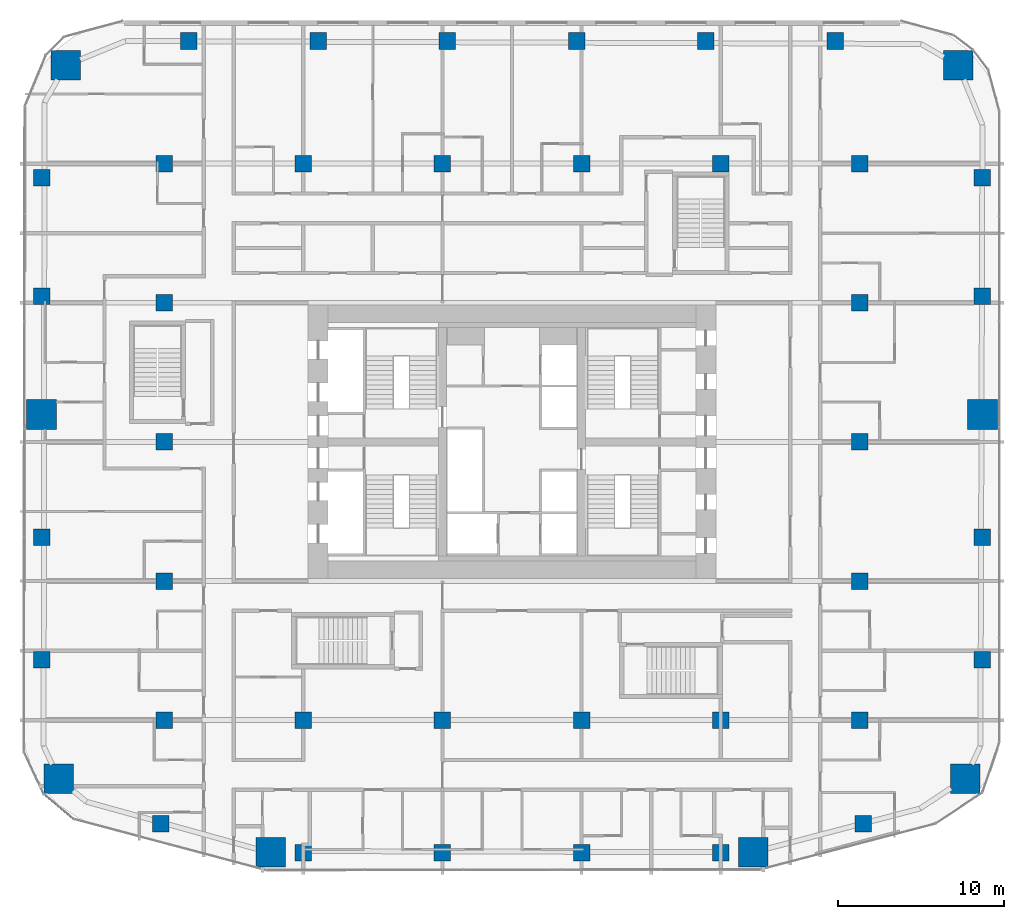
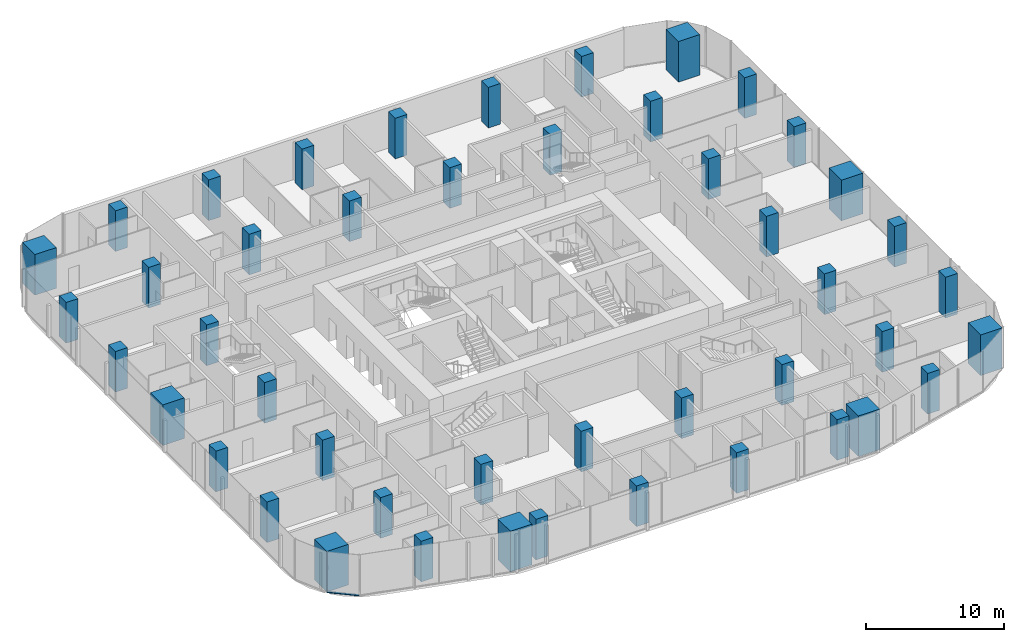
# One storey, part 1 of 26: 46 columns, 1 member, 1 element without a shape of its own.
"""IFC4 building model written with IfcOpenShell, lengths in metres."""

from ifc_helpers import new_model, si_unit, direction, frame, origin, origin_2d, place, context, subcontext, project, spatial, rectangle, extrude, material, layer, layer_set, material_profile, profile_set, type_object, element, aggregate, save


model = new_model("IFC4")

# Units and contexts
model_context = context("Model", 3, precision=1e-05, world=origin(), true_north=direction((0.0, 1.0)))
body_context = subcontext(model_context, "Body", "Model", "MODEL_VIEW")
ifc_project = project(units=[si_unit("LENGTHUNIT", "METRE"), si_unit("AREAUNIT", "SQUARE_METRE"), si_unit("VOLUMEUNIT", "CUBIC_METRE"), si_unit("PLANEANGLEUNIT", "RADIAN"), si_unit("MASSUNIT", "GRAM", prefix="KILO")], contexts=[model_context])

# Site, building, storey
site_placement = place(None, origin())
site = spatial("IfcSite", under=ifc_project, at=site_placement, CompositionType="ELEMENT")
building_placement = place(site_placement, origin())
building = spatial("IfcBuilding", under=site, at=building_placement, Name="Marenta Gate Hotel Tower", CompositionType="ELEMENT")
storey_placement = place(building_placement, frame((0.0, 0.0, 72.5)))
storey = spatial("IfcBuildingStorey", under=building, at=storey_placement, Name="L16", CompositionType="ELEMENT", Elevation=72.5)

# Columns
ifc_material_1 = material(Name="Concrete C80", Category="concrete")
ifc_material_profile_1 = material_profile(ifc_material_1, rectangle(XDim=1.0, YDim=1.0, at=origin_2d()), Name="1000 x 1000")
ifc_profile_set_1 = profile_set([ifc_material_profile_1], Name="Concrete C80")
column_type_1 = type_object("IfcColumnType", Name="Edge column 1000 x 1000 C80", PredefinedType="COLUMN", material=ifc_profile_set_1)
for number, where, z_axis, x_axis, name in (
    (1, (-28.39990234375, -4.751953125, 0.0), (0.0, 0.0, 1.0), (1.0, 0.0, 0.0), "L16-EC-SW-W-1"),
    (2, (-28.39990234375, 2.649169921875, 0.0), (0.0, 0.0, 1.0), (1.0, 0.0, 0.0), "L16-EC-SW-W-2"),
    (3, (-28.39990234375, 17.203125, 0.0), (0.0, 0.0, 1.0), (1.0, 0.0, 0.0), "L16-EC-W-NW-1"),
    (4, (-28.39990234375, 24.3564453125, 0.0), (0.0, 0.0, 1.0), (1.0, 0.0, 0.0), "L16-EC-W-NW-2"),
    (5, (-19.5068359375, 32.60009765625, 0.0), (0.0, 0.0, 1.0), (1.0, 0.0, 0.0), "L16-EC-NW-NE-1"),
    (6, (-11.7041015625, 32.60009765625, 0.0), (0.0, 0.0, 1.0), (1.0, 0.0, 0.0), "L16-EC-NW-NE-2"),
    (7, (-3.9013671875, 32.60009765625, 0.0), (0.0, 0.0, 1.0), (1.0, 0.0, 0.0), "L16-EC-NW-NE-3"),
    (8, (3.9013671875, 32.60009765625, 0.0), (0.0, 0.0, 1.0), (1.0, 0.0, 0.0), "L16-EC-NW-NE-4"),
    (9, (11.7041015625, 32.60009765625, 0.0), (0.0, 0.0, 1.0), (1.0, 0.0, 0.0), "L16-EC-NW-NE-5"),
    (10, (19.5068359375, 32.60009765625, 0.0), (0.0, 0.0, 1.0), (1.0, 0.0, 0.0), "L16-EC-NW-NE-6"),
    (11, (28.39990234375, 24.3564453125, 0.0), (0.0, 0.0, 1.0), (1.0, 0.0, 0.0), "L16-EC-NE-E-1"),
    (12, (28.39990234375, 17.203125, 0.0), (0.0, 0.0, 1.0), (1.0, 0.0, 0.0), "L16-EC-NE-E-2"),
    (13, (28.39990234375, 2.649169921875, 0.0), (0.0, 0.0, 1.0), (1.0, 0.0, 0.0), "L16-EC-E-SE-1"),
    (14, (28.39990234375, -4.751953125, 0.0), (0.0, 0.0, 1.0), (1.0, 0.0, 0.0), "L16-EC-E-SE-2"),
    (15, (21.206787109375, -14.63916015625, 0.0), (0.0, 0.0, 1.0), (1.0, 0.0, 0.0), "L16-EC-SE-SKE-1"),
    (16, (12.60009765625, -16.39990234375, 0.0), (0.0, 0.0, 1.0), (1.0, 0.0, 0.0), "L16-EC-SKE-SKW-1"),
    (17, (4.199951171875, -16.39990234375, 0.0), (0.0, 0.0, 1.0), (1.0, 0.0, 0.0), "L16-EC-SKE-SKW-2"),
    (18, (-4.199951171875, -16.39990234375, 0.0), (0.0, 0.0, 1.0), (1.0, 0.0, 0.0), "L16-EC-SKE-SKW-3"),
    (19, (-12.60009765625, -16.39990234375, 0.0), (0.0, 0.0, 1.0), (1.0, 0.0, 0.0), "L16-EC-SKE-SKW-4"),
    (20, (-21.206787109375, -14.63916015625, 0.0), (0.0, 0.0, 1.0), (1.0, 0.0, 0.0), "L16-EC-SKW-SW-1"),
):
    element("IfcColumn", number, at=place(storey_placement, frame(where, z_axis=z_axis, x_axis=x_axis)), inside=storey, type_object=column_type_1, Name=name, PredefinedType="COLUMN", context=body_context, shape_type="SweptSolid", body=[
        extrude(rectangle(XDim=1.0, YDim=1.0, at=origin_2d()), origin(), (0.0, 0.0, 1.0), 3.60009765625),
    ])
ifc_material_2 = material(Name="Concrete C80", Category="concrete")
ifc_material_profile_2 = material_profile(ifc_material_2, rectangle(XDim=1.0, YDim=1.0, at=origin_2d()), Name="1000 x 1000")
ifc_profile_set_2 = profile_set([ifc_material_profile_2], Name="Concrete C80")
column_type_2 = type_object("IfcColumnType", Name="Interior column 1000 x 1000 C80", PredefinedType="COLUMN", material=ifc_profile_set_2)
for number, where, z_axis, x_axis, name in (
    (21, (-21.0, -8.39990234375, 0.0), (0.0, 0.0, 1.0), (1.0, 0.0, 0.0), "L16-IC-4E"),
    (22, (-21.0, 0.0, 0.0), (0.0, 0.0, 1.0), (1.0, 0.0, 0.0), "L16-IC-4F"),
    (23, (-21.0, 8.39990234375, 0.0), (0.0, 0.0, 1.0), (1.0, 0.0, 0.0), "L16-IC-4G"),
    (24, (-21.0, 16.800048828125, 0.0), (0.0, 0.0, 1.0), (1.0, 0.0, 0.0), "L16-IC-4H"),
    (25, (-21.0, 25.199951171875, 0.0), (0.0, 0.0, 1.0), (1.0, 0.0, 0.0), "L16-IC-4I"),
    (26, (-12.60009765625, -8.39990234375, 0.0), (0.0, 0.0, 1.0), (1.0, 0.0, 0.0), "L16-IC-5E"),
    (27, (-12.60009765625, 25.199951171875, 0.0), (0.0, 0.0, 1.0), (1.0, 0.0, 0.0), "L16-IC-5I"),
    (28, (-4.199951171875, -8.39990234375, 0.0), (0.0, 0.0, 1.0), (1.0, 0.0, 0.0), "L16-IC-6E"),
    (29, (-4.199951171875, 25.199951171875, 0.0), (0.0, 0.0, 1.0), (1.0, 0.0, 0.0), "L16-IC-6I"),
    (30, (4.199951171875, -8.39990234375, 0.0), (0.0, 0.0, 1.0), (1.0, 0.0, 0.0), "L16-IC-7E"),
    (31, (4.199951171875, 25.199951171875, 0.0), (0.0, 0.0, 1.0), (1.0, 0.0, 0.0), "L16-IC-7I"),
    (32, (12.60009765625, -8.39990234375, 0.0), (0.0, 0.0, 1.0), (1.0, 0.0, 0.0), "L16-IC-8E"),
    (33, (12.60009765625, 25.199951171875, 0.0), (0.0, 0.0, 1.0), (1.0, 0.0, 0.0), "L16-IC-8I"),
    (34, (21.0, -8.39990234375, 0.0), (0.0, 0.0, 1.0), (1.0, 0.0, 0.0), "L16-IC-9E"),
    (35, (21.0, 0.0, 0.0), (0.0, 0.0, 1.0), (1.0, 0.0, 0.0), "L16-IC-9F"),
    (36, (21.0, 8.39990234375, 0.0), (0.0, 0.0, 1.0), (1.0, 0.0, 0.0), "L16-IC-9G"),
    (37, (21.0, 16.800048828125, 0.0), (0.0, 0.0, 1.0), (1.0, 0.0, 0.0), "L16-IC-9H"),
    (38, (21.0, 25.199951171875, 0.0), (0.0, 0.0, 1.0), (1.0, 0.0, 0.0), "L16-IC-9I"),
):
    element("IfcColumn", number, at=place(storey_placement, frame(where, z_axis=z_axis, x_axis=x_axis)), inside=storey, type_object=column_type_2, Name=name, PredefinedType="COLUMN", context=body_context, shape_type="SweptSolid", body=[
        extrude(rectangle(XDim=1.0, YDim=1.0, at=origin_2d()), origin(), (0.0, 0.0, 1.0), 3.60009765625),
    ])
ifc_material_3 = material(Name="Concrete C80", Category="concrete")
ifc_material_profile_3 = material_profile(ifc_material_3, rectangle(XDim=1.800048828125, YDim=1.800048828125, at=origin_2d()), Name="1800 x 1800")
ifc_profile_set_3 = profile_set([ifc_material_profile_3], Name="Concrete C80")
column_type_3 = type_object("IfcColumnType", Name="Mega column 1800 x 1800 C80", PredefinedType="COLUMN", material=ifc_profile_set_3)
for number, where, z_axis, x_axis, name in (
    (39, (-27.363037109375, -11.93310546875, 0.0), (0.0, 0.0, 1.0), (1.0, 0.0, 0.0), "L16-MC-SW"),
    (40, (-14.56640625, -16.374755859375, 0.0), (0.0, 0.0, 1.0), (1.0, 0.0, 0.0), "L16-MC-SKW"),
    (41, (14.56640625, -16.374755859375, 0.0), (0.0, 0.0, 1.0), (1.0, 0.0, 0.0), "L16-MC-SKE"),
    (42, (27.363037109375, -11.93310546875, 0.0), (0.0, 0.0, 1.0), (1.0, 0.0, 0.0), "L16-MC-SE"),
    (43, (28.39990234375, 10.050048828125, 0.0), (0.0, 0.0, 1.0), (1.0, 0.0, 0.0), "L16-MC-E"),
    (44, (26.935546875, 31.135498046875, 0.0), (0.0, 0.0, 1.0), (1.0, 0.0, 0.0), "L16-MC-NE"),
    (45, (-26.935546875, 31.135498046875, 0.0), (0.0, 0.0, 1.0), (1.0, 0.0, 0.0), "L16-MC-NW"),
    (46, (-28.39990234375, 10.050048828125, 0.0), (0.0, 0.0, 1.0), (1.0, 0.0, 0.0), "L16-MC-W"),
):
    element("IfcColumn", number, at=place(storey_placement, frame(where, z_axis=z_axis, x_axis=x_axis)), inside=storey, type_object=column_type_3, Name=name, PredefinedType="COLUMN", context=body_context, shape_type="SweptSolid", body=[
        extrude(rectangle(XDim=1.800048828125, YDim=1.800048828125, at=origin_2d()), origin(), (0.0, 0.0, 1.0), 3.60009765625),
    ])

# Curtain wall, member
ifc_material_4 = material(Name="Tinted insulated glass in bronze anodised frame", Category="glass")
ifc_layer = layer(ifc_material_4, 0.1201171875)
ifc_layer_set = layer_set([ifc_layer], Name="Tinted insulated glass in bronze anodised frame")
curtain_wall_type = type_object("IfcCurtainWallType", Name="Tower unitised curtain wall CW1", PredefinedType="NOTDEFINED", material=ifc_layer_set)
curtain_wall_placement = place(storey_placement, origin())
curtain_wall = element("IfcCurtainWall", 47, at=curtain_wall_placement, inside=storey, type_object=curtain_wall_type, Name="CW1 run G05", PredefinedType="NOTDEFINED")
ifc_material_5 = material(Name="Bronze anodised aluminium", Category="aluminium")
ifc_material_profile_4 = material_profile(ifc_material_5, rectangle(XDim=0.1201171875, YDim=0.06005859375, at=origin_2d()), Name="Transom CW1 60x120 bronze anodised aluminium")
ifc_profile_set_4 = profile_set([ifc_material_profile_4], Name="Bronze anodised aluminium")
member_type = type_object("IfcMemberType", Name="Transom CW1 60x120 bronze anodised aluminium", PredefinedType="USERDEFINED", material=ifc_profile_set_4)
member_placement = place(storey_placement, frame((-28.228271484375, -12.880126953125, 0.030029296875), z_axis=(0.767079699321, -0.641551817775, 0.0), x_axis=(0.641551817775, 0.767079699321, 0.0)))
member = element("IfcMember", 48, at=member_placement, type_object=member_type, Name="CW1 transom 1.1", ObjectType="TRANSOM", PredefinedType="USERDEFINED", context=body_context, shape_type="SweptSolid", body=[
    extrude(rectangle(XDim=0.1201171875, YDim=0.06005859375, at=origin_2d()), origin(), (0.0, 0.0, 1.0), 2.31640625),
])
aggregate(curtain_wall, [member])

save(model, "model.ifc")
